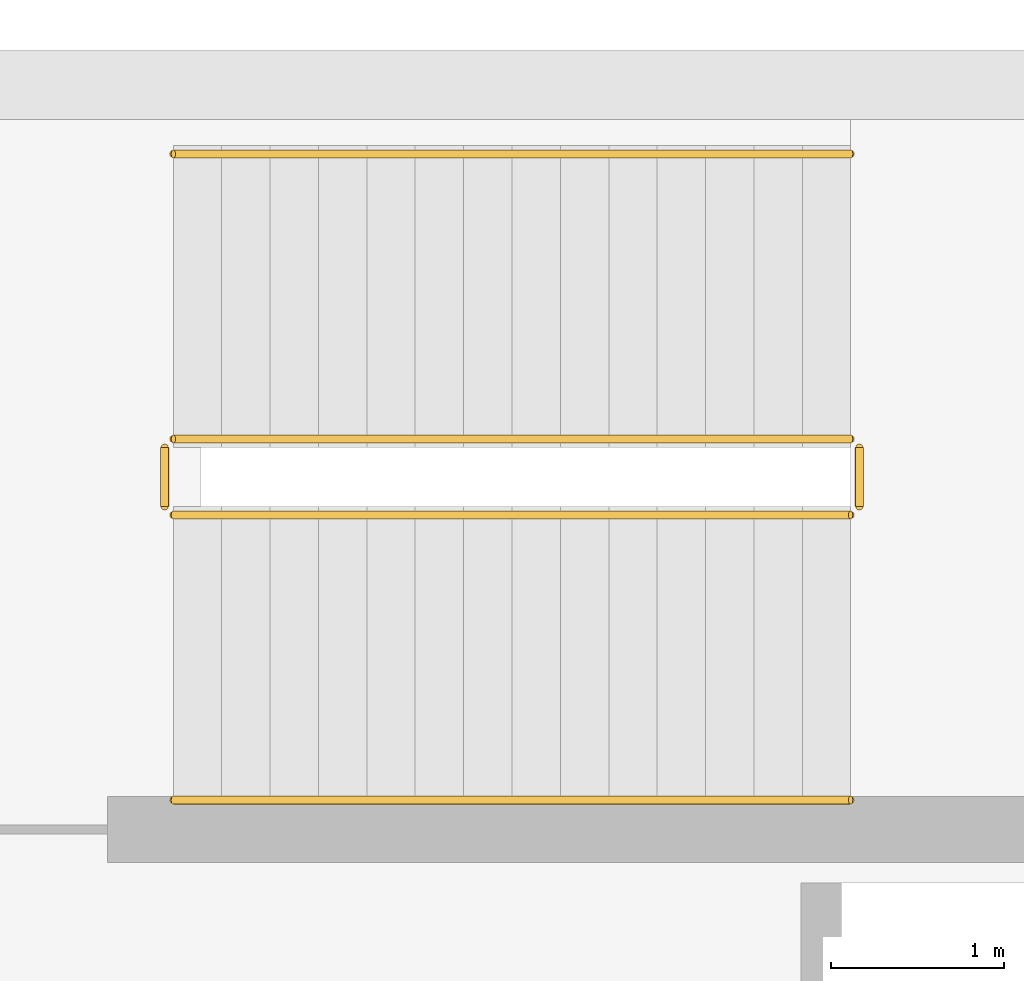
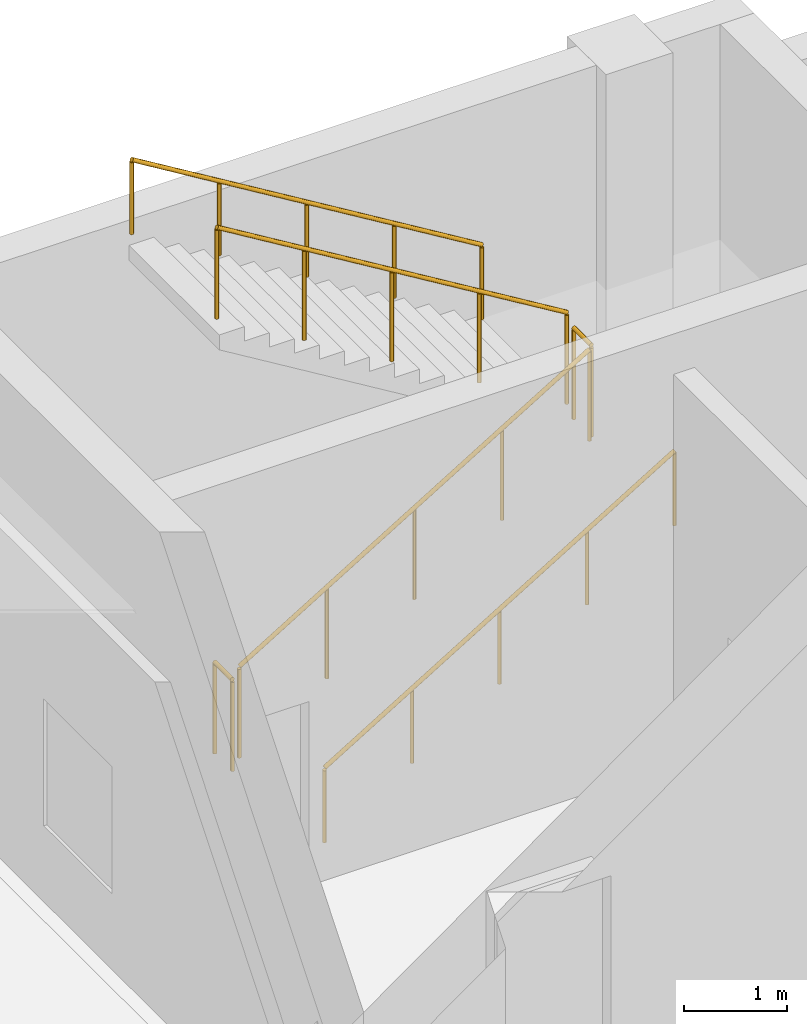
# One storey, part 77 of 77: 6 railings.
"""IFC4 building model written with IfcOpenShell, lengths in metres."""

from ifc_helpers import new_model, si_unit, direction, frame, origin, origin_2d, place, context, subcontext, project, spatial, circle, extrude, material, layer, layer_set, type_object, element, save


model = new_model("IFC4")

# Units and contexts
model_context = context("Model", 3, precision=1e-05, world=origin(), true_north=direction((0.0, 1.0)))
body_context = subcontext(model_context, "Body", "Model", "MODEL_VIEW")
ifc_project = project(units=[si_unit("LENGTHUNIT", "METRE"), si_unit("AREAUNIT", "SQUARE_METRE"), si_unit("VOLUMEUNIT", "CUBIC_METRE"), si_unit("PLANEANGLEUNIT", "RADIAN"), si_unit("MASSUNIT", "GRAM", prefix="KILO")], contexts=[model_context])

# Site, building, storey
site_placement = place(None, origin())
site = spatial("IfcSite", under=ifc_project, at=site_placement, CompositionType="ELEMENT")
building_placement = place(site_placement, origin())
building = spatial("IfcBuilding", under=site, at=building_placement, Name="Zulmaris Art Gallery", CompositionType="ELEMENT")
storey_placement = place(building_placement, frame((0.0, 0.0, 15.60009765625)))
storey = spatial("IfcBuildingStorey", under=building, at=storey_placement, Name="L03", CompositionType="ELEMENT", Elevation=15.60009765625)

# Railings
ifc_material_1 = material(Name="Steel S355J2", Category="steel")
ifc_layer_1 = layer(ifc_material_1, 0.050048828125)
ifc_layer_set_1 = layer_set([ifc_layer_1], Name="Steel S355J2")
railing_type_1 = type_object("IfcRailingType", Name="RAIL-STGRD", PredefinedType="GUARDRAIL", material=ifc_layer_set_1)
railing_1_placement = place(storey_placement, frame((186.300048828125, 73.110107421875, 0.169921875)))
element("IfcRailing", 1, at=railing_1_placement, inside=storey, type_object=railing_type_1, Name="L03 ST4 stair guard 1", PredefinedType="GUARDRAIL", context=body_context, shape_type="SweptSolid", body=[
    extrude(circle(Radius=0.02392578125, at=origin_2d()), frame((0.0, 0.0, 1.076171875), z_axis=(0.854794262968, 0.0, 0.518967020143), x_axis=(0.0, 1.0, 0.0)), (0.0, 0.0, 1.0), 4.585693359375),
    extrude(circle(Radius=0.02099609375, at=origin_2d()), origin(), (0.0, 0.0, 1.0), 1.052001953125),
    extrude(circle(Radius=0.02099609375, at=origin_2d()), frame((0.97998046875, 0.0, 0.594970703125)), (0.0, 0.0, 1.0), 1.052001953125),
    extrude(circle(Radius=0.02099609375, at=origin_2d()), frame((1.9599609375, 0.0, 1.18994140625)), (0.0, 0.0, 1.0), 1.052001953125),
    extrude(circle(Radius=0.02099609375, at=origin_2d()), frame((2.93994140625, 0.0, 1.784912109375)), (0.0, 0.0, 1.0), 1.052001953125),
    extrude(circle(Radius=0.02099609375, at=origin_2d()), frame((3.919921875, 0.0, 2.3798828125)), (0.0, 0.0, 1.0), 1.052001953125),
])
railing_2_placement = place(storey_placement, frame((190.27001953125, 73.159912109375, 2.5498046875)))
element("IfcRailing", 2, at=railing_2_placement, inside=storey, type_object=railing_type_1, Name="L03 ST4 stair guard 2", PredefinedType="GUARDRAIL", context=body_context, shape_type="SweptSolid", body=[
    extrude(circle(Radius=0.02392578125, at=origin_2d()), frame((0.0, 0.0, 1.076171875), z_axis=(0.0, 1.0, 0.0), x_axis=(-1.0, 0.0, 0.0)), (0.0, 0.0, 1.0), 0.340087890625),
    extrude(circle(Radius=0.02099609375, at=origin_2d()), origin(), (0.0, 0.0, 1.0), 1.052001953125),
    extrude(circle(Radius=0.02099609375, at=origin_2d()), frame((0.0, 0.340087890625, 0.0)), (0.0, 0.0, 1.0), 1.052001953125),
])
railing_3_placement = place(storey_placement, frame((190.219970703125, 73.550048828125, 2.719970703125)))
element("IfcRailing", 3, at=railing_3_placement, inside=storey, type_object=railing_type_1, Name="L03 ST4 stair guard 3", PredefinedType="GUARDRAIL", context=body_context, shape_type="SweptSolid", body=[
    extrude(circle(Radius=0.02392578125, at=origin_2d()), frame((0.0, 0.0, 1.076171875), z_axis=(-0.854794262968, 0.0, 0.518967020143), x_axis=(0.0, -1.0, 0.0)), (0.0, 0.0, 1.0), 4.585693359375),
    extrude(circle(Radius=0.02099609375, at=origin_2d()), origin(), (0.0, 0.0, 1.0), 1.052001953125),
    extrude(circle(Radius=0.02099609375, at=origin_2d()), frame((-0.97998046875, 0.0, 0.594970703125)), (0.0, 0.0, 1.0), 1.052001953125),
    extrude(circle(Radius=0.02099609375, at=origin_2d()), frame((-1.9599609375, 0.0, 1.18994140625)), (0.0, 0.0, 1.0), 1.052001953125),
    extrude(circle(Radius=0.02099609375, at=origin_2d()), frame((-2.93994140625, 0.0, 1.784912109375)), (0.0, 0.0, 1.0), 1.052001953125),
    extrude(circle(Radius=0.02099609375, at=origin_2d()), frame((-3.919921875, 0.0, 2.3798828125)), (0.0, 0.0, 1.0), 1.052001953125),
])
railing_4_placement = place(storey_placement, frame((186.25, 73.159912109375, 0.0)))
element("IfcRailing", 4, at=railing_4_placement, inside=storey, type_object=railing_type_1, Name="L03 ST4 stair guard 4", PredefinedType="GUARDRAIL", context=body_context, shape_type="SweptSolid", body=[
    extrude(circle(Radius=0.02392578125, at=origin_2d()), frame((0.0, 0.0, 1.076171875), z_axis=(0.0, 1.0, 0.0), x_axis=(-1.0, 0.0, 0.0)), (0.0, 0.0, 1.0), 0.340087890625),
    extrude(circle(Radius=0.02099609375, at=origin_2d()), origin(), (0.0, 0.0, 1.0), 1.052001953125),
    extrude(circle(Radius=0.02099609375, at=origin_2d()), frame((0.0, 0.340087890625, 0.0)), (0.0, 0.0, 1.0), 1.052001953125),
])
ifc_material_2 = material(Name="Brushed Bronze Handrail", Category="steel")
ifc_layer_2 = layer(ifc_material_2, 0.048095703125)
ifc_layer_set_2 = layer_set([ifc_layer_2], Name="Brushed Bronze Handrail")
railing_type_2 = type_object("IfcRailingType", Name="RAIL-STHND", PredefinedType="HANDRAIL", material=ifc_layer_set_2)
railing_5_placement = place(storey_placement, frame((186.300048828125, 71.4599609375, 0.169921875)))
element("IfcRailing", 5, at=railing_5_placement, inside=storey, type_object=railing_type_2, Name="L03 ST4 stair handrail 1", PredefinedType="HANDRAIL", context=body_context, shape_type="SweptSolid", body=[
    extrude(circle(Radius=0.02392578125, at=origin_2d()), frame((0.0, 0.0, 0.8759765625), z_axis=(0.854794262968, 0.0, 0.518967020143), x_axis=(0.0, 1.0, 0.0)), (0.0, 0.0, 1.0), 4.585693359375),
    extrude(circle(Radius=0.02099609375, at=origin_2d()), origin(), (0.0, 0.0, 1.0), 0.851806640625),
    extrude(circle(Radius=0.02099609375, at=origin_2d()), frame((0.97998046875, 0.0, 0.594970703125)), (0.0, 0.0, 1.0), 0.851806640625),
    extrude(circle(Radius=0.02099609375, at=origin_2d()), frame((1.9599609375, 0.0, 1.18994140625)), (0.0, 0.0, 1.0), 0.851806640625),
    extrude(circle(Radius=0.02099609375, at=origin_2d()), frame((2.93994140625, 0.0, 1.784912109375)), (0.0, 0.0, 1.0), 0.851806640625),
    extrude(circle(Radius=0.02099609375, at=origin_2d()), frame((3.919921875, 0.0, 2.3798828125)), (0.0, 0.0, 1.0), 0.851806640625),
])
railing_6_placement = place(storey_placement, frame((190.219970703125, 75.199951171875, 2.719970703125)))
element("IfcRailing", 6, at=railing_6_placement, inside=storey, type_object=railing_type_2, Name="L03 ST4 stair handrail 2", PredefinedType="HANDRAIL", context=body_context, shape_type="SweptSolid", body=[
    extrude(circle(Radius=0.02392578125, at=origin_2d()), frame((0.0, 0.0, 0.8759765625), z_axis=(-0.854794262968, 0.0, 0.518967020143), x_axis=(0.0, -1.0, 0.0)), (0.0, 0.0, 1.0), 4.585693359375),
    extrude(circle(Radius=0.02099609375, at=origin_2d()), origin(), (0.0, 0.0, 1.0), 0.851806640625),
    extrude(circle(Radius=0.02099609375, at=origin_2d()), frame((-0.97998046875, 0.0, 0.594970703125)), (0.0, 0.0, 1.0), 0.851806640625),
    extrude(circle(Radius=0.02099609375, at=origin_2d()), frame((-1.9599609375, 0.0, 1.18994140625)), (0.0, 0.0, 1.0), 0.851806640625),
    extrude(circle(Radius=0.02099609375, at=origin_2d()), frame((-2.93994140625, 0.0, 1.784912109375)), (0.0, 0.0, 1.0), 0.851806640625),
    extrude(circle(Radius=0.02099609375, at=origin_2d()), frame((-3.919921875, 0.0, 2.3798828125)), (0.0, 0.0, 1.0), 0.851806640625),
])

save(model, "model.ifc")
